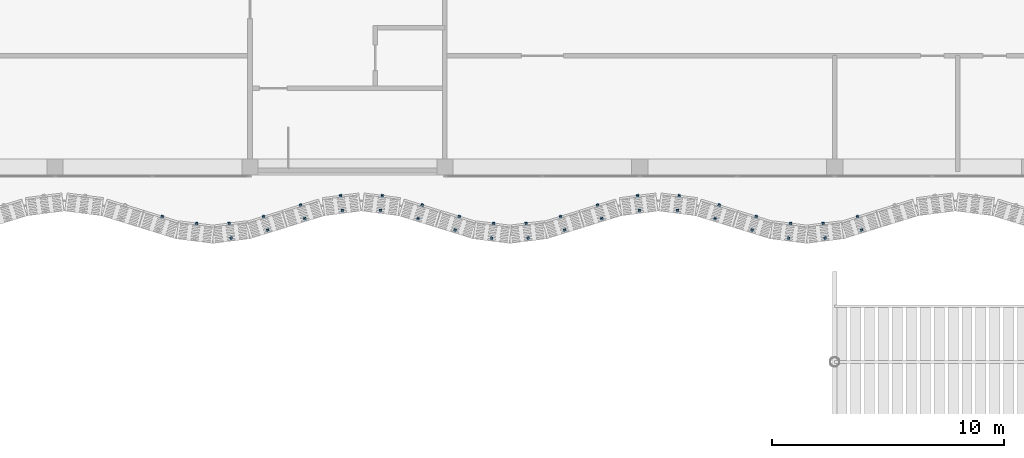
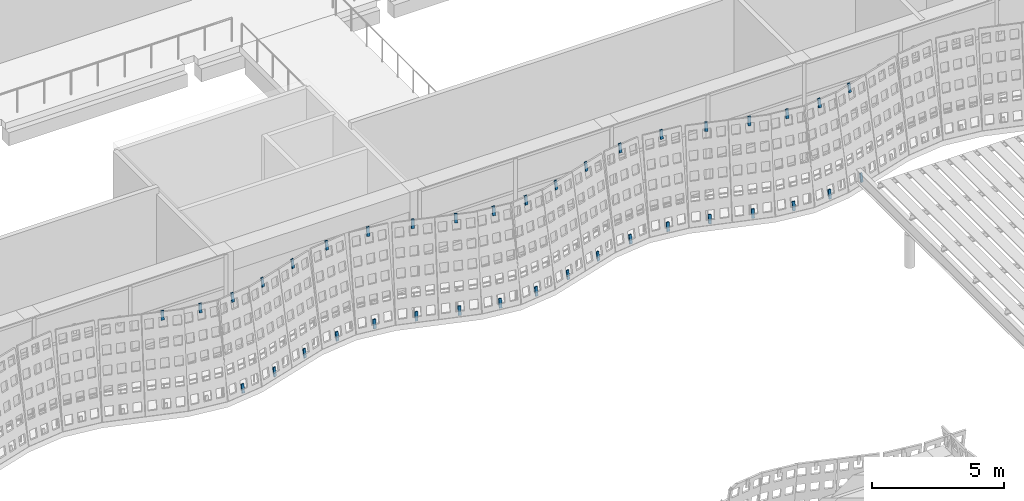
# One storey, part 105 of 162: 38 discrete accessories.
"""IFC4 building model written with IfcOpenShell, lengths in metres."""

from ifc_helpers import new_model, si_unit, direction, frame, origin, origin_2d, place, context, subcontext, project, spatial, rectangle, extrude, material, material_profile, profile_set, type_object, element, save


model = new_model("IFC4")

# Units and contexts
model_context = context("Model", 3, precision=1e-05, world=origin(), true_north=direction((0.0, 1.0)))
body_context = subcontext(model_context, "Body", "Model", "MODEL_VIEW")
ifc_project = project(units=[si_unit("LENGTHUNIT", "METRE"), si_unit("AREAUNIT", "SQUARE_METRE"), si_unit("VOLUMEUNIT", "CUBIC_METRE"), si_unit("PLANEANGLEUNIT", "RADIAN"), si_unit("MASSUNIT", "GRAM", prefix="KILO")], contexts=[model_context])

# Site, building, storey
site_placement = place(None, origin())
site = spatial("IfcSite", under=ifc_project, at=site_placement, CompositionType="ELEMENT")
building_placement = place(site_placement, origin())
building = spatial("IfcBuilding", under=site, at=building_placement, Name="Rain Tree Exposition and Congress Centre", CompositionType="ELEMENT")
storey_placement = place(building_placement, frame((0.0, 0.0, 6.0)))
storey = spatial("IfcBuildingStorey", under=building, at=storey_placement, Name="L01", CompositionType="ELEMENT", Elevation=6.0)

# Discrete accessories
ifc_material = material(Name="Steel S355J2", Category="steel")
ifc_material_profile = material_profile(ifc_material, rectangle(XDim=0.1201171875, YDim=0.050048828125, at=origin_2d()), Name="Flat bar 120x50")
ifc_profile_set = profile_set([ifc_material_profile], Name="Steel S355J2")
discrete_accessory_type = type_object("IfcDiscreteAccessoryType", Name="Screen bracket 120x50", PredefinedType="BRACKET", material=ifc_profile_set)
discrete_accessory_placement = place(storey_placement, frame((29.809814453125, 73.4423828125, 3.85107421875), z_axis=(0.04699262887, 0.150742588713, 0.987455500152), x_axis=(-0.954686073127, 0.297614686764, 0.0)))
element("IfcDiscreteAccessory", 1, at=discrete_accessory_placement, inside=storey, type_object=discrete_accessory_type, Name="concourse/bracket/L01/0191t", PredefinedType="BRACKET", context=body_context, shape_type="SweptSolid", body=[
    extrude(rectangle(XDim=0.1201171875, YDim=0.050048828125, at=origin_2d()), origin(), (0.0, 0.0, 1.0), 0.400146484375),
])
for number, where, z_axis, x_axis, name in (
    (2, (31.29296875, 73.141357421875, 3.851318359375), (0.021363835031, 0.162975541524, 0.986398783159), (-0.991517377774, 0.129974188098, 0.0), "concourse/bracket/L01/0201t"),
    (3, (32.70703125, 73.141357421875, 3.851318359375), (-0.021363835031, 0.162975541524, 0.986398783159), (-0.991517377774, -0.129974188098, 0.0), "concourse/bracket/L01/0211t"),
    (4, (32.788330078125, 72.506591796875, 0.004150390625), (-0.020753706516, 0.162977636468, 0.986411462665), (-0.991989449114, -0.12632075382, 0.0), "concourse/bracket/L01/0211b"),
):
    element("IfcDiscreteAccessory", number, at=place(storey_placement, frame(where, z_axis=z_axis, x_axis=x_axis)), inside=storey, type_object=discrete_accessory_type, Name=name, PredefinedType="BRACKET", context=body_context, shape_type="SweptSolid", body=[
        extrude(rectangle(XDim=0.1201171875, YDim=0.050048828125, at=origin_2d()), origin(), (0.0, 0.0, 1.0), 0.39990234375),
    ])
for number, where, z_axis, x_axis, name in (
    (5, (34.190185546875, 73.4423828125, 3.85107421875), (-0.04699262887, 0.150742588713, 0.987455500152), (-0.954686073127, -0.297614686764, 0.0), "concourse/bracket/L01/0221t"),
    (6, (34.372314453125, 72.853515625, 0.00390625), (-0.04699262887, 0.150742588713, 0.987455500152), (-0.954686073127, -0.297614686764, 0.0), "concourse/bracket/L01/0221b"),
    (7, (35.786865234375, 73.936279296875, 3.85107421875), (-0.04699262887, 0.150742588713, 0.987455500152), (-0.954686073127, -0.297614686764, 0.0), "concourse/bracket/L01/0231t"),
    (8, (35.968994140625, 73.347412109375, 0.00390625), (-0.046988297524, 0.151338932283, 0.987364485624), (-0.955026538869, -0.296520336665, 0.0), "concourse/bracket/L01/0231b"),
):
    element("IfcDiscreteAccessory", number, at=place(storey_placement, frame(where, z_axis=z_axis, x_axis=x_axis)), inside=storey, type_object=discrete_accessory_type, Name=name, PredefinedType="BRACKET", context=body_context, shape_type="SweptSolid", body=[
        extrude(rectangle(XDim=0.1201171875, YDim=0.050048828125, at=origin_2d()), origin(), (0.0, 0.0, 1.0), 0.400146484375),
    ])
for number, where, z_axis, x_axis, name in (
    (9, (37.50537109375, 74.336181640625, 3.851318359375), (-0.020753706516, 0.162977636468, 0.986411462665), (-0.991989449114, -0.12632075382, 0.0), "concourse/bracket/L01/0241t"),
    (10, (37.586669921875, 73.701416015625, 0.004150390625), (-0.020753706516, 0.162977636468, 0.986411462665), (-0.991989449114, -0.12632075382, 0.0), "concourse/bracket/L01/0241b"),
    (11, (39.294677734375, 74.336181640625, 3.851318359375), (0.020753706516, 0.162977636468, 0.986411462665), (-0.991989449114, 0.12632075382, 0.0), "concourse/bracket/L01/0251t"),
    (12, (39.21337890625, 73.701416015625, 0.004150390625), (0.020753706516, 0.162977636468, 0.986411462665), (-0.991989449114, 0.12632075382, 0.0), "concourse/bracket/L01/0251b"),
):
    element("IfcDiscreteAccessory", number, at=place(storey_placement, frame(where, z_axis=z_axis, x_axis=x_axis)), inside=storey, type_object=discrete_accessory_type, Name=name, PredefinedType="BRACKET", context=body_context, shape_type="SweptSolid", body=[
        extrude(rectangle(XDim=0.1201171875, YDim=0.050048828125, at=origin_2d()), origin(), (0.0, 0.0, 1.0), 0.39990234375),
    ])
for number, where, z_axis, x_axis, name in (
    (13, (41.01318359375, 73.936279296875, 3.85107421875), (0.04699262887, 0.150742588713, 0.987455500152), (-0.954686073127, 0.297614686764, 0.0), "concourse/bracket/L01/0261t"),
    (14, (40.8310546875, 73.347412109375, 0.00390625), (0.04637938116, 0.151343243786, 0.9873926147), (-0.956111824862, 0.293002010845, 0.0), "concourse/bracket/L01/0261b"),
    (15, (42.60986328125, 73.4423828125, 3.85107421875), (0.04699262887, 0.150742588713, 0.987455500152), (-0.954686073127, 0.297614686764, 0.0), "concourse/bracket/L01/0271t"),
    (16, (42.427734375, 72.853515625, 0.00390625), (0.046383656621, 0.150746884018, 0.987483637007), (-0.955779008722, 0.294085848838, 0.0), "concourse/bracket/L01/0271b"),
):
    element("IfcDiscreteAccessory", number, at=place(storey_placement, frame(where, z_axis=z_axis, x_axis=x_axis)), inside=storey, type_object=discrete_accessory_type, Name=name, PredefinedType="BRACKET", context=body_context, shape_type="SweptSolid", body=[
        extrude(rectangle(XDim=0.1201171875, YDim=0.050048828125, at=origin_2d()), origin(), (0.0, 0.0, 1.0), 0.400146484375),
    ])
for number, where, z_axis, x_axis, name in (
    (17, (44.093017578125, 73.141357421875, 3.851318359375), (0.020753706516, 0.162977636468, 0.986411462665), (-0.991989449114, 0.12632075382, 0.0), "concourse/bracket/L01/0281t"),
    (18, (44.01171875, 72.506591796875, 0.004150390625), (0.020753706516, 0.162977636468, 0.986411462665), (-0.991989449114, 0.12632075382, 0.0), "concourse/bracket/L01/0281b"),
    (19, (45.507080078125, 73.141357421875, 3.851318359375), (-0.021363835031, 0.162975541524, 0.986398783159), (-0.991517377774, -0.129974188098, 0.0), "concourse/bracket/L01/0291t"),
    (20, (45.58837890625, 72.506591796875, 0.004150390625), (-0.020753706516, 0.162977636468, 0.986411462665), (-0.991989449114, -0.12632075382, 0.0), "concourse/bracket/L01/0291b"),
):
    element("IfcDiscreteAccessory", number, at=place(storey_placement, frame(where, z_axis=z_axis, x_axis=x_axis)), inside=storey, type_object=discrete_accessory_type, Name=name, PredefinedType="BRACKET", context=body_context, shape_type="SweptSolid", body=[
        extrude(rectangle(XDim=0.1201171875, YDim=0.050048828125, at=origin_2d()), origin(), (0.0, 0.0, 1.0), 0.39990234375),
    ])
for number, where, z_axis, x_axis, name in (
    (21, (46.989990234375, 73.4423828125, 3.85107421875), (-0.046383656621, 0.150746884018, 0.987483637007), (-0.955779008722, -0.294085848838, 0.0), "concourse/bracket/L01/0301t"),
    (22, (47.17236328125, 72.853515625, 0.00390625), (-0.04699262887, 0.150742588713, 0.987455500152), (-0.954686073127, -0.297614686764, 0.0), "concourse/bracket/L01/0301b"),
    (23, (48.5869140625, 73.936279296875, 3.85107421875), (-0.04699262887, 0.150742588713, 0.987455500152), (-0.954686073127, -0.297614686764, 0.0), "concourse/bracket/L01/0311t"),
    (24, (48.76904296875, 73.347412109375, 0.00390625), (-0.046988297524, 0.151338932283, 0.987364485624), (-0.955026538869, -0.296520336665, 0.0), "concourse/bracket/L01/0311b"),
):
    element("IfcDiscreteAccessory", number, at=place(storey_placement, frame(where, z_axis=z_axis, x_axis=x_axis)), inside=storey, type_object=discrete_accessory_type, Name=name, PredefinedType="BRACKET", context=body_context, shape_type="SweptSolid", body=[
        extrude(rectangle(XDim=0.1201171875, YDim=0.050048828125, at=origin_2d()), origin(), (0.0, 0.0, 1.0), 0.400146484375),
    ])
for number, where, z_axis, x_axis, name in (
    (25, (50.305419921875, 74.336181640625, 3.851318359375), (-0.020753706516, 0.162977636468, 0.986411462665), (-0.991989449114, -0.12632075382, 0.0), "concourse/bracket/L01/0321t"),
    (26, (50.38671875, 73.701416015625, 0.004150390625), (-0.020753706516, 0.162977636468, 0.986411462665), (-0.991989449114, -0.12632075382, 0.0), "concourse/bracket/L01/0321b"),
    (27, (52.0947265625, 74.336181640625, 3.851318359375), (0.020753706516, 0.162977636468, 0.986411462665), (-0.991989449114, 0.12632075382, 0.0), "concourse/bracket/L01/0331t"),
    (28, (52.013427734375, 73.701416015625, 0.004150390625), (0.020753706516, 0.162977636468, 0.986411462665), (-0.991989449114, 0.12632075382, 0.0), "concourse/bracket/L01/0331b"),
):
    element("IfcDiscreteAccessory", number, at=place(storey_placement, frame(where, z_axis=z_axis, x_axis=x_axis)), inside=storey, type_object=discrete_accessory_type, Name=name, PredefinedType="BRACKET", context=body_context, shape_type="SweptSolid", body=[
        extrude(rectangle(XDim=0.1201171875, YDim=0.050048828125, at=origin_2d()), origin(), (0.0, 0.0, 1.0), 0.39990234375),
    ])
for number, where, z_axis, x_axis, name in (
    (29, (53.813232421875, 73.936279296875, 3.85107421875), (0.046383656621, 0.150746884018, 0.987483637007), (-0.955779008722, 0.294085848838, 0.0), "concourse/bracket/L01/0341t"),
    (30, (53.631103515625, 73.347412109375, 0.00390625), (0.04637938116, 0.151343243786, 0.9873926147), (-0.956111824862, 0.293002010845, 0.0), "concourse/bracket/L01/0341b"),
    (31, (55.409912109375, 73.4423828125, 3.85107421875), (0.04699262887, 0.150742588713, 0.987455500152), (-0.954686073127, 0.297614686764, 0.0), "concourse/bracket/L01/0351t"),
    (32, (55.227783203125, 72.853515625, 0.00390625), (0.046383656621, 0.150746884018, 0.987483637007), (-0.955779008722, 0.294085848838, 0.0), "concourse/bracket/L01/0351b"),
):
    element("IfcDiscreteAccessory", number, at=place(storey_placement, frame(where, z_axis=z_axis, x_axis=x_axis)), inside=storey, type_object=discrete_accessory_type, Name=name, PredefinedType="BRACKET", context=body_context, shape_type="SweptSolid", body=[
        extrude(rectangle(XDim=0.1201171875, YDim=0.050048828125, at=origin_2d()), origin(), (0.0, 0.0, 1.0), 0.400146484375),
    ])
for number, where, z_axis, x_axis, name in (
    (33, (56.89306640625, 73.141357421875, 3.851318359375), (0.020753706516, 0.162977636468, 0.986411462665), (-0.991989449114, 0.12632075382, 0.0), "concourse/bracket/L01/0361t"),
    (34, (56.811767578125, 72.506591796875, 0.004150390625), (0.020753706516, 0.162977636468, 0.986411462665), (-0.991989449114, 0.12632075382, 0.0), "concourse/bracket/L01/0361b"),
    (35, (58.306884765625, 73.141357421875, 3.851318359375), (-0.020753706516, 0.162977636468, 0.986411462665), (-0.991989449114, -0.12632075382, 0.0), "concourse/bracket/L01/0371t"),
    (36, (58.38818359375, 72.506591796875, 0.004150390625), (-0.020753706516, 0.162977636468, 0.986411462665), (-0.991989449114, -0.12632075382, 0.0), "concourse/bracket/L01/0371b"),
):
    element("IfcDiscreteAccessory", number, at=place(storey_placement, frame(where, z_axis=z_axis, x_axis=x_axis)), inside=storey, type_object=discrete_accessory_type, Name=name, PredefinedType="BRACKET", context=body_context, shape_type="SweptSolid", body=[
        extrude(rectangle(XDim=0.1201171875, YDim=0.050048828125, at=origin_2d()), origin(), (0.0, 0.0, 1.0), 0.39990234375),
    ])
for number, where, z_axis, x_axis, name in (
    (37, (59.7900390625, 73.4423828125, 3.85107421875), (-0.046383656621, 0.150746884018, 0.987483637007), (-0.955779008722, -0.294085848838, 0.0), "concourse/bracket/L01/0381t"),
    (38, (59.972412109375, 72.853515625, 0.00390625), (-0.04699262887, 0.150742588713, 0.987455500152), (-0.954686073127, -0.297614686764, 0.0), "concourse/bracket/L01/0381b"),
):
    element("IfcDiscreteAccessory", number, at=place(storey_placement, frame(where, z_axis=z_axis, x_axis=x_axis)), inside=storey, type_object=discrete_accessory_type, Name=name, PredefinedType="BRACKET", context=body_context, shape_type="SweptSolid", body=[
        extrude(rectangle(XDim=0.1201171875, YDim=0.050048828125, at=origin_2d()), origin(), (0.0, 0.0, 1.0), 0.400146484375),
    ])

save(model, "model.ifc")
